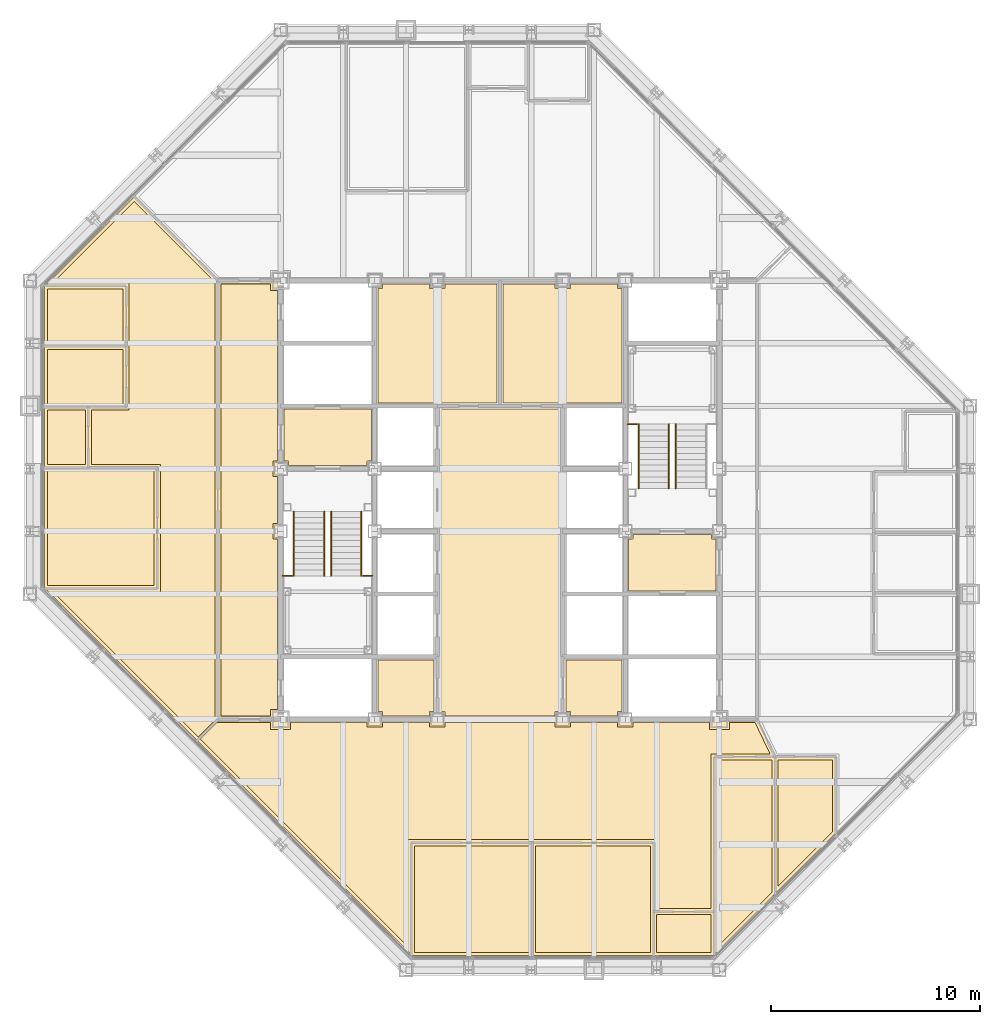
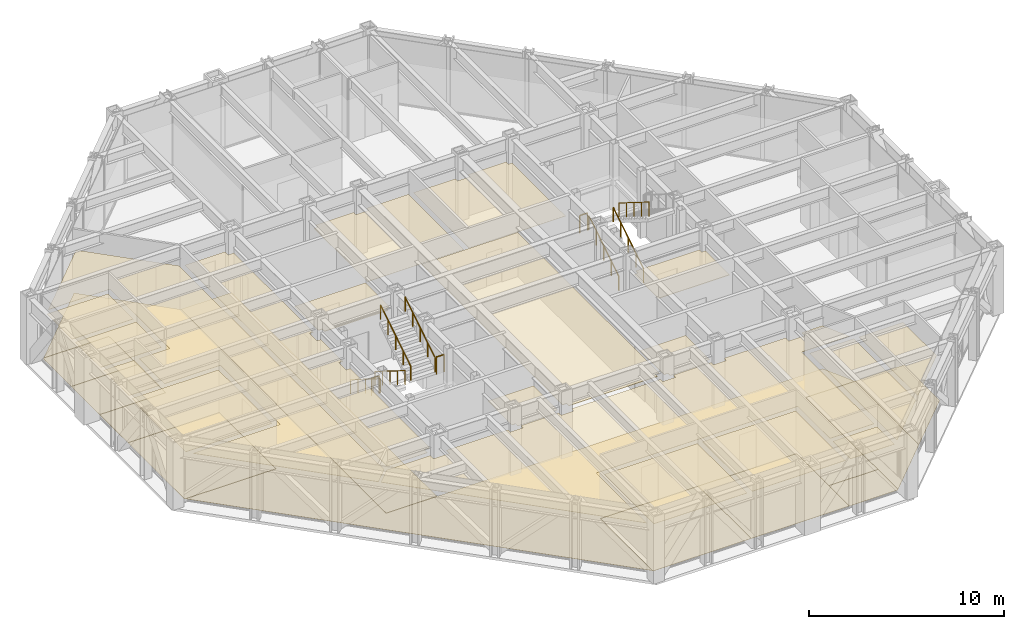
# One storey, part 15 of 16: 30 coverings, 10 railings.
"""IFC4 building model written with IfcOpenShell, lengths in metres."""

from ifc_helpers import new_model, si_unit, direction, frame, origin, origin_2d, place, context, subcontext, project, spatial, polyline, circle, outline, extrude, material, layer, layer_set, type_object, element, save


model = new_model("IFC4")

# Units and contexts
model_context = context("Model", 3, precision=1e-05, world=origin(), true_north=direction((0.0, 1.0)))
body_context = subcontext(model_context, "Body", "Model", "MODEL_VIEW")
ifc_project = project(units=[si_unit("LENGTHUNIT", "METRE"), si_unit("AREAUNIT", "SQUARE_METRE"), si_unit("VOLUMEUNIT", "CUBIC_METRE"), si_unit("PLANEANGLEUNIT", "RADIAN"), si_unit("MASSUNIT", "GRAM", prefix="KILO")], contexts=[model_context])

# Site, building, storey
site_placement = place(None, origin())
site = spatial("IfcSite", under=ifc_project, at=site_placement, CompositionType="ELEMENT")
building_placement = place(site_placement, origin())
building = spatial("IfcBuilding", under=site, at=building_placement, Name="Chuquiago Exchange Tower", CompositionType="ELEMENT")
storey_placement = place(building_placement, frame((0.0, 0.0, 213.89990234375)))
storey = spatial("IfcBuildingStorey", under=building, at=storey_placement, Name="L47", CompositionType="ELEMENT", Elevation=213.89990234375)

# Coverings
ifc_material_1 = material(Name="Mineral fibre tile, 600 x 600, on pale metal grid", Category="mineral fibre")
ifc_layer_1 = layer(ifc_material_1, 0.02001953125)
ifc_layer_set_1 = layer_set([ifc_layer_1], Name="CL1 suspended tile ceiling 20")
covering_type_1 = type_object("IfcCoveringType", Name="CL1 suspended tile ceiling 20", PredefinedType="CEILING", material=ifc_layer_set_1)
covering_1_placement = place(storey_placement, frame((0.0, 0.0, 2.800048828125)))
element("IfcCovering", 1, at=covering_1_placement, inside=storey, type_object=covering_type_1, Name="Ceiling Listing office", PredefinedType="CEILING", context=body_context, shape_type="SweptSolid", body=[
    extrude(outline(polyline([(18.3984375, 5.949951171875), (23.899658203125, 5.949951171875), (23.899658203125, 0.85009765625), (18.3984375, 0.85009765625), (18.3984375, 5.949951171875)])), origin(), (0.0, 0.0, 1.0), 0.02001953125),
])
covering_2_placement = place(storey_placement, frame((0.0, 0.0, 2.800048828125)))
element("IfcCovering", 2, at=covering_2_placement, inside=storey, type_object=covering_type_1, Name="Ceiling Listing office", PredefinedType="CEILING", context=body_context, shape_type="SweptSolid", body=[
    extrude(outline(polyline([(24.19970703125, 5.949951171875), (29.700927734375, 5.949951171875), (29.700927734375, 0.85009765625), (24.19970703125, 0.85009765625), (24.19970703125, 5.949951171875)])), origin(), (0.0, 0.0, 1.0), 0.02001953125),
])
covering_3_placement = place(storey_placement, frame((0.0, 0.0, 2.800048828125)))
element("IfcCovering", 3, at=covering_3_placement, inside=storey, type_object=covering_type_1, Name="Ceiling Focus room", PredefinedType="CEILING", context=body_context, shape_type="SweptSolid", body=[
    extrude(outline(polyline([(30.0009765625, 0.85009765625), (30.0009765625, 2.64990234375), (32.6015625, 2.64990234375), (32.6015625, 0.85009765625), (30.0009765625, 0.85009765625)])), origin(), (0.0, 0.0, 1.0), 0.02001953125),
])
covering_4_placement = place(storey_placement, frame((0.0, 0.0, 2.800048828125)))
element("IfcCovering", 4, at=covering_4_placement, inside=storey, type_object=covering_type_1, Name="Ceiling Office", PredefinedType="CEILING", context=body_context, shape_type="SweptSolid", body=[
    extrude(outline(polyline([(32.901611328125, 10.050048828125), (35.513671875, 10.050048828125), (35.513671875, 3.715576171875), (32.901611328125, 1.103515625), (32.901611328125, 10.050048828125)])), origin(), (0.0, 0.0, 1.0), 0.02001953125),
])
covering_5_placement = place(storey_placement, frame((0.0, 0.0, 2.800048828125)))
element("IfcCovering", 5, at=covering_5_placement, inside=storey, type_object=covering_type_1, Name="Ceiling Office", PredefinedType="CEILING", context=body_context, shape_type="SweptSolid", body=[
    extrude(outline(polyline([(35.813720703125, 10.050048828125), (38.42578125, 10.050048828125), (38.42578125, 6.627685546875), (35.813720703125, 4.015625), (35.813720703125, 10.050048828125)])), origin(), (0.0, 0.0, 1.0), 0.02001953125),
])
covering_6_placement = place(storey_placement, frame((0.0, 0.0, 2.800048828125)))
element("IfcCovering", 6, at=covering_6_placement, inside=storey, type_object=covering_type_1, Name="Ceiling Listing office", PredefinedType="CEILING", context=body_context, shape_type="SweptSolid", body=[
    extrude(outline(polyline([(0.85009765625, 23.899658203125), (5.949951171875, 23.899658203125), (5.949951171875, 18.3984375), (0.85009765625, 18.3984375), (0.85009765625, 23.899658203125)])), origin(), (0.0, 0.0, 1.0), 0.02001953125),
])
covering_7_placement = place(storey_placement, frame((0.0, 0.0, 2.800048828125)))
element("IfcCovering", 7, at=covering_7_placement, inside=storey, type_object=covering_type_1, Name="Ceiling Focus room", PredefinedType="CEILING", context=body_context, shape_type="SweptSolid", body=[
    extrude(outline(polyline([(2.64990234375, 26.80029296875), (2.64990234375, 24.19970703125), (0.85009765625, 24.19970703125), (0.85009765625, 26.80029296875), (2.64990234375, 26.80029296875)])), origin(), (0.0, 0.0, 1.0), 0.02001953125),
])
covering_8_placement = place(storey_placement, frame((0.0, 0.0, 2.800048828125)))
element("IfcCovering", 8, at=covering_8_placement, inside=storey, type_object=covering_type_1, Name="Ceiling Office", PredefinedType="CEILING", context=body_context, shape_type="SweptSolid", body=[
    extrude(outline(polyline([(4.449951171875, 29.700927734375), (4.449951171875, 27.100341796875), (0.85009765625, 27.100341796875), (0.85009765625, 29.700927734375), (4.449951171875, 29.700927734375)])), origin(), (0.0, 0.0, 1.0), 0.02001953125),
])
covering_9_placement = place(storey_placement, frame((0.0, 0.0, 2.800048828125)))
element("IfcCovering", 9, at=covering_9_placement, inside=storey, type_object=covering_type_1, Name="Ceiling Office", PredefinedType="CEILING", context=body_context, shape_type="SweptSolid", body=[
    extrude(outline(polyline([(4.449951171875, 32.6015625), (4.449951171875, 30.0009765625), (0.85009765625, 30.0009765625), (0.85009765625, 32.6015625), (4.449951171875, 32.6015625)])), origin(), (0.0, 0.0, 1.0), 0.02001953125),
])
covering_10_placement = place(storey_placement, frame((0.0, 0.0, 2.800048828125)))
element("IfcCovering", 10, at=covering_10_placement, inside=storey, type_object=covering_type_1, Name="Ceiling Circulation corridor", PredefinedType="CEILING", context=body_context, shape_type="SweptSolid", body=[
    extrude(outline(polyline([(9.14990234375, 12.14990234375), (9.14990234375, 32.85009765625), (11.52490234375, 32.85009765625), (11.52490234375, 32.52490234375), (11.85009765625, 32.52490234375), (11.85009765625, 24.375), (11.625, 24.375), (11.625, 23.625), (11.85009765625, 23.625), (11.85009765625, 21.375), (11.625, 21.375), (11.625, 20.625), (11.85009765625, 20.625), (11.85009765625, 12.47509765625), (11.52490234375, 12.47509765625), (11.52490234375, 12.14990234375), (9.14990234375, 12.14990234375)])), origin(), (0.0, 0.0, 1.0), 0.02001953125),
])
covering_11_placement = place(storey_placement, frame((0.0, 0.0, 2.800048828125)))
element("IfcCovering", 11, at=covering_11_placement, inside=storey, type_object=covering_type_1, Name="Ceiling Open office south", PredefinedType="CEILING", context=body_context, shape_type="SweptSolid", body=[
    extrude(outline(polyline([(32.6015625, 2.949951171875), (30.0009765625, 2.949951171875), (30.0009765625, 6.25), (18.098388671875, 6.25), (18.098388671875, 1.103515625), (8.150390625, 11.051513671875), (8.948974609375, 11.85009765625), (11.52490234375, 11.85009765625), (11.52490234375, 11.52490234375), (12.47509765625, 11.52490234375), (12.47509765625, 11.85009765625), (16.125, 11.85009765625), (16.125, 11.625), (16.875, 11.625), (16.875, 11.85009765625), (19.125, 11.85009765625), (19.125, 11.625), (19.875, 11.625), (19.875, 11.85009765625), (25.125, 11.85009765625), (25.125, 11.625), (25.875, 11.625), (25.875, 11.85009765625), (28.125, 11.85009765625), (28.125, 11.625), (28.875, 11.625), (28.875, 11.85009765625), (32.52490234375, 11.85009765625), (32.52490234375, 11.52490234375), (33.47509765625, 11.52490234375), (33.47509765625, 11.85009765625), (34.705078125, 11.85009765625), (35.4248046875, 10.35009765625), (32.6015625, 10.35009765625), (32.6015625, 2.949951171875)])), origin(), (0.0, 0.0, 1.0), 0.02001953125),
])
covering_12_placement = place(storey_placement, frame((0.0, 0.0, 2.800048828125)))
element("IfcCovering", 12, at=covering_12_placement, inside=storey, type_object=covering_type_1, Name="Ceiling Open office south", PredefinedType="CEILING", context=body_context, shape_type="SweptSolid", body=[
    extrude(outline(polyline([(1.103515625, 18.098388671875), (6.25, 18.098388671875), (6.25, 24.19970703125), (2.949951171875, 24.19970703125), (2.949951171875, 26.80029296875), (4.75, 26.80029296875), (4.75, 32.901611328125), (1.103515625, 32.901611328125), (4.99462890625, 36.79248046875), (8.85009765625, 32.9375), (8.85009765625, 11.948974609375), (8.051513671875, 11.150390625), (1.103515625, 18.098388671875)])), origin(), (0.0, 0.0, 1.0), 0.02001953125),
])
ifc_material_2 = material(Name="Moisture resistant plasterboard on metal frame", Category="gypsum")
ifc_layer_2 = layer(ifc_material_2, 0.014892578125)
ifc_layer_set_2 = layer_set([ifc_layer_2], Name="CL2 moisture resistant ceiling 15")
covering_type_2 = type_object("IfcCoveringType", Name="CL2 moisture resistant ceiling 15", PredefinedType="CEILING", material=ifc_layer_set_2)
covering_13_placement = place(storey_placement, frame((0.0, 0.0, 2.60009765625)))
element("IfcCovering", 13, at=covering_13_placement, inside=storey, type_object=covering_type_2, Name="Ceiling Male WC", PredefinedType="CEILING", context=body_context, shape_type="SweptSolid", body=[
    extrude(outline(polyline([(16.64990234375, 27.14990234375), (16.64990234375, 32.625), (16.875, 32.625), (16.875, 32.85009765625), (19.125, 32.85009765625), (19.125, 32.625), (19.875, 32.625), (19.875, 32.85009765625), (22.35009765625, 32.85009765625), (22.35009765625, 27.14990234375), (16.64990234375, 27.14990234375)])), origin(), (0.0, 0.0, 1.0), 0.014892578125),
])
covering_14_placement = place(storey_placement, frame((0.0, 0.0, 2.60009765625)))
element("IfcCovering", 14, at=covering_14_placement, inside=storey, type_object=covering_type_2, Name="Ceiling Female WC", PredefinedType="CEILING", context=body_context, shape_type="SweptSolid", body=[
    extrude(outline(polyline([(22.64990234375, 27.14990234375), (22.64990234375, 32.85009765625), (25.125, 32.85009765625), (25.125, 32.625), (25.875, 32.625), (25.875, 32.85009765625), (28.125, 32.85009765625), (28.125, 32.625), (28.35009765625, 32.625), (28.35009765625, 27.14990234375), (22.64990234375, 27.14990234375)])), origin(), (0.0, 0.0, 1.0), 0.014892578125),
])
covering_15_placement = place(storey_placement, frame((0.0, 0.0, 2.60009765625)))
element("IfcCovering", 15, at=covering_15_placement, inside=storey, type_object=covering_type_2, Name="Ceiling Accessible WC", PredefinedType="CEILING", context=body_context, shape_type="SweptSolid", body=[
    extrude(outline(polyline([(25.875, 12.14990234375), (25.875, 12.375), (25.64990234375, 12.375), (25.64990234375, 14.85009765625), (28.35009765625, 14.85009765625), (28.35009765625, 12.375), (28.125, 12.375), (28.125, 12.14990234375), (25.875, 12.14990234375)])), origin(), (0.0, 0.0, 1.0), 0.014892578125),
])
covering_16_placement = place(storey_placement, frame((0.0, 0.0, 2.60009765625)))
element("IfcCovering", 16, at=covering_16_placement, inside=storey, type_object=covering_type_2, Name="Ceiling Cleaner", PredefinedType="CEILING", context=body_context, shape_type="SweptSolid", body=[
    extrude(outline(polyline([(16.875, 12.14990234375), (16.875, 12.375), (16.64990234375, 12.375), (16.64990234375, 14.85009765625), (19.35009765625, 14.85009765625), (19.35009765625, 12.375), (19.125, 12.375), (19.125, 12.14990234375), (16.875, 12.14990234375)])), origin(), (0.0, 0.0, 1.0), 0.014892578125),
])
ifc_material_3 = material(Name="Pale metal plank ceiling, perforated", Category="aluminium")
ifc_layer_3 = layer(ifc_material_3, 0.030029296875)
ifc_layer_set_3 = layer_set([ifc_layer_3], Name="CL3 metal plank ceiling 30")
covering_type_3 = type_object("IfcCoveringType", Name="CL3 metal plank ceiling 30", PredefinedType="CEILING", material=ifc_layer_set_3)
covering_17_placement = place(storey_placement, frame((0.0, 0.0, 2.800048828125)))
element("IfcCovering", 17, at=covering_17_placement, inside=storey, type_object=covering_type_3, Name="Ceiling Lift lobby", PredefinedType="CEILING", context=body_context, shape_type="SweptSolid", body=[
    extrude(outline(polyline([(19.875, 12.14990234375), (19.875, 12.375), (19.64990234375, 12.375), (19.64990234375, 26.85009765625), (25.35009765625, 26.85009765625), (25.35009765625, 12.375), (25.125, 12.375), (25.125, 12.14990234375), (19.875, 12.14990234375)])), origin(), (0.0, 0.0, 1.0), 0.030029296875),
])
covering_18_placement = place(storey_placement, frame((0.0, 0.0, 2.800048828125)))
element("IfcCovering", 18, at=covering_18_placement, inside=storey, type_object=covering_type_3, Name="Ceiling Firefighting lobby", PredefinedType="CEILING", context=body_context, shape_type="SweptSolid", body=[
    extrude(outline(polyline([(12.375, 24.14990234375), (12.375, 24.375), (12.14990234375, 24.375), (12.14990234375, 26.85009765625), (16.35009765625, 26.85009765625), (16.35009765625, 24.375), (16.125, 24.375), (16.125, 24.14990234375), (12.375, 24.14990234375)])), origin(), (0.0, 0.0, 1.0), 0.030029296875),
])
covering_19_placement = place(storey_placement, frame((0.0, 0.0, 2.800048828125)))
element("IfcCovering", 19, at=covering_19_placement, inside=storey, type_object=covering_type_3, Name="Ceiling Firefighting lobby", PredefinedType="CEILING", context=body_context, shape_type="SweptSolid", body=[
    extrude(outline(polyline([(28.64990234375, 18.14990234375), (28.64990234375, 20.625), (28.875, 20.625), (28.875, 20.85009765625), (32.625, 20.85009765625), (32.625, 20.625), (32.85009765625, 20.625), (32.85009765625, 18.14990234375), (28.64990234375, 18.14990234375)])), origin(), (0.0, 0.0, 1.0), 0.030029296875),
])
ifc_material_4 = material(Name="Carpet tile, 500 x 500, on the floor slab", Category="textile")
ifc_layer_4 = layer(ifc_material_4, 0.010009765625)
ifc_layer_set_4 = layer_set([ifc_layer_4], Name="FL1 carpet tile 10")
covering_type_4 = type_object("IfcCoveringType", Name="FL1 carpet tile 10", PredefinedType="FLOORING", material=ifc_layer_set_4)
covering_20_placement = place(storey_placement, origin())
element("IfcCovering", 20, at=covering_20_placement, inside=storey, type_object=covering_type_4, Name="Floor finish Listing office", PredefinedType="FLOORING", context=body_context, shape_type="SweptSolid", body=[
    extrude(outline(polyline([(18.289794921875, 0.699951171875), (18.24853515625, 0.741455078125), (18.24853515625, 6.10009765625), (24.0498046875, 6.10009765625), (24.0498046875, 0.699951171875), (18.289794921875, 0.699951171875)])), origin(), (0.0, 0.0, 1.0), 0.010009765625),
])
covering_21_placement = place(storey_placement, origin())
element("IfcCovering", 21, at=covering_21_placement, inside=storey, type_object=covering_type_4, Name="Floor finish Listing office", PredefinedType="FLOORING", context=body_context, shape_type="SweptSolid", body=[
    extrude(outline(polyline([(24.0498046875, 0.699951171875), (24.0498046875, 6.10009765625), (29.850830078125, 6.10009765625), (29.850830078125, 0.699951171875), (24.0498046875, 0.699951171875)])), origin(), (0.0, 0.0, 1.0), 0.010009765625),
])
covering_22_placement = place(storey_placement, origin())
element("IfcCovering", 22, at=covering_22_placement, inside=storey, type_object=covering_type_4, Name="Floor finish Focus room", PredefinedType="FLOORING", context=body_context, shape_type="SweptSolid", body=[
    extrude(outline(polyline([(32.710205078125, 0.699951171875), (29.850830078125, 0.699951171875), (29.850830078125, 2.800048828125), (32.75146484375, 2.800048828125), (32.75146484375, 0.741455078125), (32.710205078125, 0.699951171875)])), origin(), (0.0, 0.0, 1.0), 0.010009765625),
])
covering_23_placement = place(storey_placement, origin())
element("IfcCovering", 23, at=covering_23_placement, inside=storey, type_object=covering_type_4, Name="Floor finish Office", PredefinedType="FLOORING", context=body_context, shape_type="SweptSolid", body=[
    extrude(outline(polyline([(32.75146484375, 0.741455078125), (32.75146484375, 10.199951171875), (35.66357421875, 10.199951171875), (35.66357421875, 3.653564453125), (32.75146484375, 0.741455078125)])), origin(), (0.0, 0.0, 1.0), 0.010009765625),
])
covering_24_placement = place(storey_placement, origin())
element("IfcCovering", 24, at=covering_24_placement, inside=storey, type_object=covering_type_4, Name="Floor finish Office", PredefinedType="FLOORING", context=body_context, shape_type="SweptSolid", body=[
    extrude(outline(polyline([(35.66357421875, 3.653564453125), (35.66357421875, 10.199951171875), (38.57568359375, 10.199951171875), (38.57568359375, 6.565673828125), (35.66357421875, 3.653564453125)])), origin(), (0.0, 0.0, 1.0), 0.010009765625),
])
covering_25_placement = place(storey_placement, origin())
element("IfcCovering", 25, at=covering_25_placement, inside=storey, type_object=covering_type_4, Name="Floor finish Listing office", PredefinedType="FLOORING", context=body_context, shape_type="SweptSolid", body=[
    extrude(outline(polyline([(0.699951171875, 24.0498046875), (6.10009765625, 24.0498046875), (6.10009765625, 18.24853515625), (0.741455078125, 18.24853515625), (0.699951171875, 18.289794921875), (0.699951171875, 24.0498046875)])), origin(), (0.0, 0.0, 1.0), 0.010009765625),
])
covering_26_placement = place(storey_placement, origin())
element("IfcCovering", 26, at=covering_26_placement, inside=storey, type_object=covering_type_4, Name="Floor finish Focus room", PredefinedType="FLOORING", context=body_context, shape_type="SweptSolid", body=[
    extrude(outline(polyline([(0.699951171875, 26.9501953125), (2.800048828125, 26.9501953125), (2.800048828125, 24.0498046875), (0.699951171875, 24.0498046875), (0.699951171875, 26.9501953125)])), origin(), (0.0, 0.0, 1.0), 0.010009765625),
])
covering_27_placement = place(storey_placement, origin())
element("IfcCovering", 27, at=covering_27_placement, inside=storey, type_object=covering_type_4, Name="Floor finish Office", PredefinedType="FLOORING", context=body_context, shape_type="SweptSolid", body=[
    extrude(outline(polyline([(0.699951171875, 29.850830078125), (4.60009765625, 29.850830078125), (4.60009765625, 26.9501953125), (0.699951171875, 26.9501953125), (0.699951171875, 29.850830078125)])), origin(), (0.0, 0.0, 1.0), 0.010009765625),
])
covering_28_placement = place(storey_placement, origin())
element("IfcCovering", 28, at=covering_28_placement, inside=storey, type_object=covering_type_4, Name="Floor finish Office", PredefinedType="FLOORING", context=body_context, shape_type="SweptSolid", body=[
    extrude(outline(polyline([(0.699951171875, 32.710205078125), (0.741455078125, 32.75146484375), (4.60009765625, 32.75146484375), (4.60009765625, 29.850830078125), (0.699951171875, 29.850830078125), (0.699951171875, 32.710205078125)])), origin(), (0.0, 0.0, 1.0), 0.010009765625),
])
covering_29_placement = place(storey_placement, origin())
element("IfcCovering", 29, at=covering_29_placement, inside=storey, type_object=covering_type_4, Name="Floor finish Open office south", PredefinedType="FLOORING", context=body_context, shape_type="SweptSolid", body=[
    extrude(outline(polyline([(32.75146484375, 10.199951171875), (32.75146484375, 2.800048828125), (29.850830078125, 2.800048828125), (29.850830078125, 6.10009765625), (18.24853515625, 6.10009765625), (18.24853515625, 0.741455078125), (0.741455078125, 18.24853515625), (6.10009765625, 18.24853515625), (6.10009765625, 24.0498046875), (2.800048828125, 24.0498046875), (2.800048828125, 26.9501953125), (4.60009765625, 26.9501953125), (4.60009765625, 32.75146484375), (0.741455078125, 32.75146484375), (4.99462890625, 37.004638671875), (9.0, 32.99951171875), (9.0, 12.0), (34.799560546875, 12.0), (35.6630859375, 10.199951171875), (32.75146484375, 10.199951171875)])), origin(), (0.0, 0.0, 1.0), 0.010009765625),
])
ifc_material_5 = material(Name="Porcelain floor tile, 600 x 600, on adhesive bed", Category="ceramic")
ifc_layer_5 = layer(ifc_material_5, 0.014892578125)
ifc_layer_set_5 = layer_set([ifc_layer_5], Name="FL2 porcelain tile 15")
covering_type_5 = type_object("IfcCoveringType", Name="FL2 porcelain tile 15", PredefinedType="FLOORING", material=ifc_layer_set_5)
covering_30_placement = place(storey_placement, origin())
element("IfcCovering", 30, at=covering_30_placement, inside=storey, type_object=covering_type_5, Name="Floor finish Circulation corridor", PredefinedType="FLOORING", context=body_context, shape_type="SweptSolid", body=[
    extrude(outline(polyline([(12.0, 12.0), (9.0, 12.0), (9.0, 33.0), (12.0, 33.0), (12.0, 12.0)])), origin(), (0.0, 0.0, 1.0), 0.01513671875),
])

# Railings
ifc_material_6 = material(Name="Pale metal guard with safety glass infill", Category="glass")
railing_type_1 = type_object("IfcRailingType", Name="GR1 guard 1100", PredefinedType="GUARDRAIL", material=ifc_material_6)
for number, where, name in (
    (31, (12.10009765625, 18.8701171875, 2.10009765625), "Guard ST1 L47 landing 2"),
    (32, (15.945068359375, 18.8701171875, 2.10009765625), "Guard ST1 L47 landing 2"),
    (33, (28.60009765625, 26.1298828125, 2.10009765625), "Guard ST2 L47 landing 2"),
):
    element("IfcRailing", number, at=place(storey_placement, frame(where)), inside=storey, type_object=railing_type_1, Name=name, PredefinedType="GUARDRAIL", context=body_context, shape_type="SweptSolid", body=[
        extrude(circle(Radius=0.02392578125, at=origin_2d()), frame((0.0, 0.0, 1.076171875), z_axis=(1.0, 0.0, 0.0), x_axis=(0.0, 1.0, 0.0)), (0.0, 0.0, 1.0), 0.454833984375),
        extrude(circle(Radius=0.02099609375, at=origin_2d()), origin(), (0.0, 0.0, 1.0), 1.052001953125),
        extrude(circle(Radius=0.02099609375, at=origin_2d()), frame((0.454833984375, 0.0, 0.0)), (0.0, 0.0, 1.0), 1.052001953125),
    ])
ifc_material_7 = material(Name="Pale metal handrail", Category="steel")
railing_type_2 = type_object("IfcRailingType", Name="HR1 handrail 900", PredefinedType="HANDRAIL", material=ifc_material_7)
for number, where, name in (
    (34, (12.635009765625, 21.949951171875, 0.175048828125), "Handrail ST1 L47 flight 1"),
    (35, (14.0849609375, 21.949951171875, 0.175048828125), "Handrail ST1 L47 flight 1"),
):
    element("IfcRailing", number, at=place(storey_placement, frame(where)), inside=storey, type_object=railing_type_2, Name=name, PredefinedType="HANDRAIL", context=body_context, shape_type="SweptSolid", body=[
        extrude(circle(Radius=0.02392578125, at=origin_2d()), frame((0.0, 0.0, 0.8759765625), z_axis=(0.0, -0.847979421464, 0.530029150871), x_axis=(1.0, 0.0, 0.0)), (0.0, 0.0, 1.0), 3.632080078125),
        extrude(circle(Radius=0.02099609375, at=origin_2d()), origin(), (0.0, 0.0, 1.0), 0.851806640625),
        extrude(circle(Radius=0.02099609375, at=origin_2d()), frame((0.0, -0.77001953125, 0.481201171875)), (0.0, 0.0, 1.0), 0.851806640625),
        extrude(circle(Radius=0.02099609375, at=origin_2d()), frame((0.0, -1.5400390625, 0.96240234375)), (0.0, 0.0, 1.0), 0.851806640625),
        extrude(circle(Radius=0.02099609375, at=origin_2d()), frame((0.0, -2.309814453125, 1.44384765625)), (0.0, 0.0, 1.0), 0.851806640625),
        extrude(circle(Radius=0.02099609375, at=origin_2d()), frame((0.0, -3.079833984375, 1.925048828125)), (0.0, 0.0, 1.0), 0.851806640625),
    ])
for number, where, name in (
    (36, (15.864990234375, 18.8701171875, 2.275146484375), "Handrail ST1 L47 flight 2"),
    (37, (14.4150390625, 18.8701171875, 2.275146484375), "Handrail ST1 L47 flight 2"),
    (38, (30.5849609375, 23.050048828125, 0.175048828125), "Handrail ST2 L47 flight 1"),
    (39, (29.135009765625, 23.050048828125, 0.175048828125), "Handrail ST2 L47 flight 1"),
):
    element("IfcRailing", number, at=place(storey_placement, frame(where)), inside=storey, type_object=railing_type_2, Name=name, PredefinedType="HANDRAIL", context=body_context, shape_type="SweptSolid", body=[
        extrude(circle(Radius=0.02392578125, at=origin_2d()), frame((0.0, 0.0, 0.8759765625), z_axis=(0.0, 0.847979421464, 0.530029150871), x_axis=(-1.0, 0.0, 0.0)), (0.0, 0.0, 1.0), 3.632080078125),
        extrude(circle(Radius=0.02099609375, at=origin_2d()), origin(), (0.0, 0.0, 1.0), 0.851806640625),
        extrude(circle(Radius=0.02099609375, at=origin_2d()), frame((0.0, 0.77001953125, 0.481201171875)), (0.0, 0.0, 1.0), 0.851806640625),
        extrude(circle(Radius=0.02099609375, at=origin_2d()), frame((0.0, 1.5400390625, 0.96240234375)), (0.0, 0.0, 1.0), 0.851806640625),
        extrude(circle(Radius=0.02099609375, at=origin_2d()), frame((0.0, 2.309814453125, 1.44384765625)), (0.0, 0.0, 1.0), 0.851806640625),
        extrude(circle(Radius=0.02099609375, at=origin_2d()), frame((0.0, 3.079833984375, 1.925048828125)), (0.0, 0.0, 1.0), 0.851806640625),
    ])
railing_placement = place(storey_placement, frame((30.9150390625, 26.1298828125, 2.275146484375)))
element("IfcRailing", 40, at=railing_placement, inside=storey, type_object=railing_type_2, Name="Handrail ST2 L47 flight 2", PredefinedType="HANDRAIL", context=body_context, shape_type="SweptSolid", body=[
    extrude(circle(Radius=0.02392578125, at=origin_2d()), frame((0.0, 0.0, 0.8759765625), z_axis=(0.0, -0.847979421464, 0.530029150871), x_axis=(1.0, 0.0, 0.0)), (0.0, 0.0, 1.0), 3.632080078125),
    extrude(circle(Radius=0.02099609375, at=origin_2d()), origin(), (0.0, 0.0, 1.0), 0.851806640625),
    extrude(circle(Radius=0.02099609375, at=origin_2d()), frame((0.0, -0.77001953125, 0.481201171875)), (0.0, 0.0, 1.0), 0.851806640625),
    extrude(circle(Radius=0.02099609375, at=origin_2d()), frame((0.0, -1.5400390625, 0.96240234375)), (0.0, 0.0, 1.0), 0.851806640625),
    extrude(circle(Radius=0.02099609375, at=origin_2d()), frame((0.0, -2.309814453125, 1.44384765625)), (0.0, 0.0, 1.0), 0.851806640625),
    extrude(circle(Radius=0.02099609375, at=origin_2d()), frame((0.0, -3.079833984375, 1.925048828125)), (0.0, 0.0, 1.0), 0.851806640625),
])

save(model, "model.ifc")
